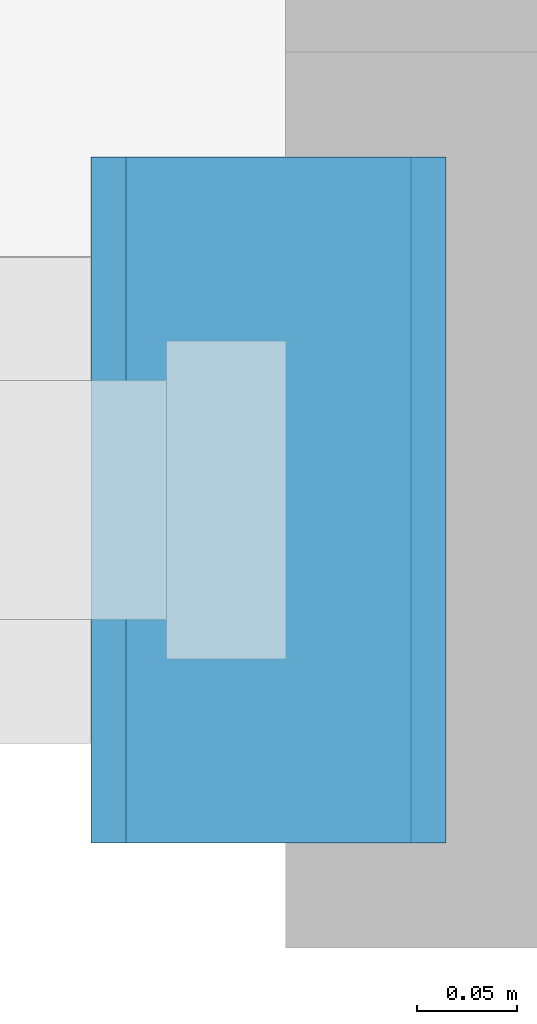
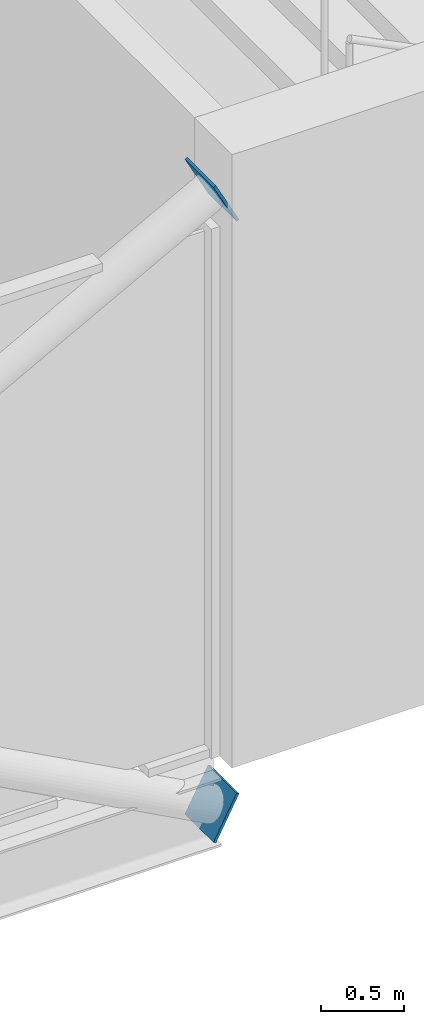
# One storey, part 107 of 129: 2 discrete accessories.
"""IFC4 building model written with IfcOpenShell, lengths in metres."""

from ifc_helpers import new_model, si_unit, direction, frame, origin, origin_2d, place, context, subcontext, project, spatial, rectangle, extrude, material, material_profile, profile_set, type_object, element, save


model = new_model("IFC4")

# Units and contexts
model_context = context("Model", 3, precision=1e-05, world=origin(), true_north=direction((0.0, 1.0)))
body_context = subcontext(model_context, "Body", "Model", "MODEL_VIEW")
ifc_project = project(units=[si_unit("LENGTHUNIT", "METRE"), si_unit("AREAUNIT", "SQUARE_METRE"), si_unit("VOLUMEUNIT", "CUBIC_METRE"), si_unit("PLANEANGLEUNIT", "RADIAN"), si_unit("MASSUNIT", "GRAM", prefix="KILO")], contexts=[model_context])

# Site, building, storey
site_placement = place(None, origin())
site = spatial("IfcSite", under=ifc_project, at=site_placement, CompositionType="ELEMENT")
building_placement = place(site_placement, origin())
building = spatial("IfcBuilding", under=site, at=building_placement, Name="Ardhachandra Cancer Care Centre", CompositionType="ELEMENT")
storey_placement = place(building_placement, frame((0.0, 0.0, 4.5)))
storey = spatial("IfcBuildingStorey", under=building, at=storey_placement, Name="L01", CompositionType="ELEMENT", Elevation=4.5)

# Discrete accessories
ifc_material = material(Name="Steel E250 (IS 2062)", Category="steel")
ifc_material_profile = material_profile(ifc_material, rectangle(XDim=0.344482421875, YDim=0.344482421875, at=origin_2d()), Name="PL 344x344x20")
ifc_profile_set = profile_set([ifc_material_profile], Name="Steel E250 (IS 2062)")
discrete_accessory_type = type_object("IfcDiscreteAccessoryType", Name="Brace end plate 344 x 344 x 20", PredefinedType="BRACKET", material=ifc_profile_set)
for number, where, z_axis, x_axis, name in (
    (1, (136.800048828125, 29.39990234375, 4.117919921875), (-0.884384752847, 0.0, -0.466758619558), (0.0, -1.0, 0.0), "Brace end plate V4-X294-1284 L01 A1"),
    (2, (136.800048828125, 29.39990234375, -0.39990234375), (-0.884384752847, 0.0, 0.466758619558), (0.0, -1.0, 0.0), "Brace end plate V4-X294-1284 L01 B10"),
):
    element("IfcDiscreteAccessory", number, at=place(storey_placement, frame(where, z_axis=z_axis, x_axis=x_axis)), inside=storey, type_object=discrete_accessory_type, Name=name, PredefinedType="BRACKET", context=body_context, shape_type="SweptSolid", body=[
        extrude(rectangle(XDim=0.344482421875, YDim=0.344482421875, at=origin_2d()), origin(), (0.0, 0.0, 1.0), 0.019775390625),
    ])

save(model, "model.ifc")
